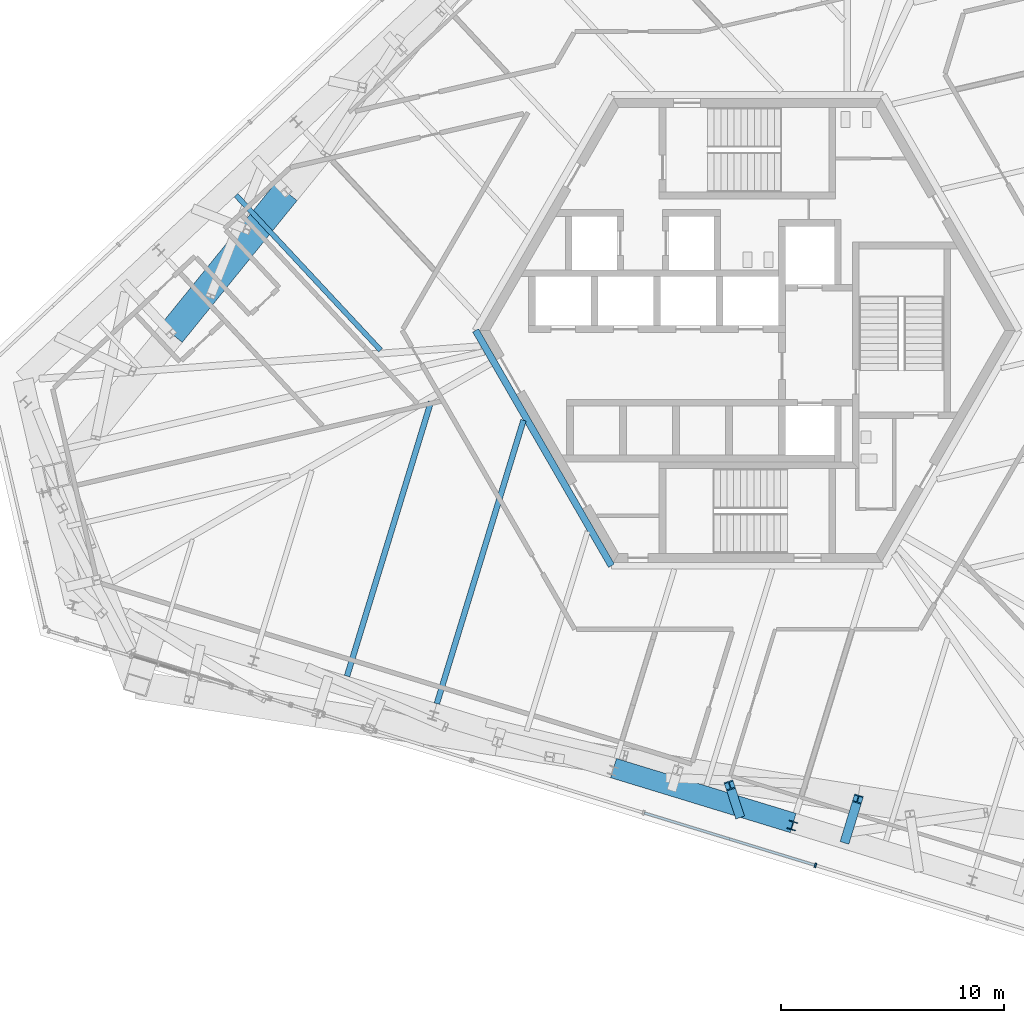
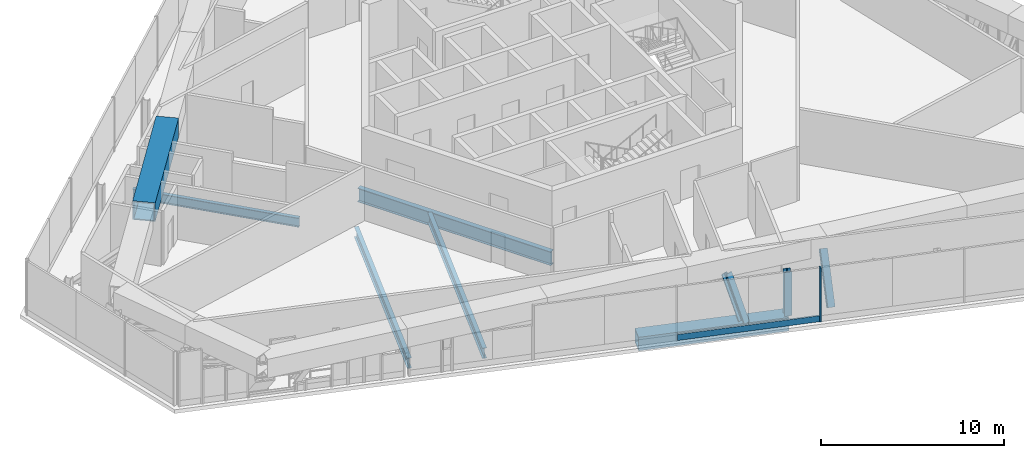
# One storey, part 3 of 31: 7 members, 4 beams, 1 element without a shape of its own.
"""IFC4 building model written with IfcOpenShell, lengths in metres."""

from ifc_helpers import new_model, si_unit, direction, frame, origin, origin_2d, place, context, subcontext, project, spatial, rectangle, hollow_rectangle, i_section, extrude, source, transform, mapped, material, material_profile, profile_set, type_object, element, aggregate, save


model = new_model("IFC4")

# Units and contexts
model_context = context("Model", 3, precision=1e-05, world=origin(), true_north=direction((0.0, 1.0)))
body_context = subcontext(model_context, "Body", "Model", "MODEL_VIEW")
ifc_project = project(units=[si_unit("LENGTHUNIT", "METRE"), si_unit("AREAUNIT", "SQUARE_METRE"), si_unit("VOLUMEUNIT", "CUBIC_METRE"), si_unit("PLANEANGLEUNIT", "RADIAN"), si_unit("MASSUNIT", "GRAM", prefix="KILO")], contexts=[model_context])

# Site, building, storey
site_placement = place(None, origin())
site = spatial("IfcSite", under=ifc_project, at=site_placement, CompositionType="ELEMENT")
building_placement = place(site_placement, origin())
building = spatial("IfcBuilding", under=site, at=building_placement, Name="Triune Harvest Tower", CompositionType="ELEMENT")
storey_placement = place(building_placement, frame((0.0, 0.0, 134.300048828125)))
storey = spatial("IfcBuildingStorey", under=building, at=storey_placement, Name="L34", CompositionType="ELEMENT", Elevation=134.300048828125)

# Member
ifc_material_1 = material(Name="Steel ASTM A992 Gr 50", Category="steel")
ifc_material_profile_1 = material_profile(ifc_material_1, i_section(OverallWidth=0.411376953125, OverallDepth=0.434326171875, WebThickness=0.035888671875, FlangeThickness=0.057373046875, at=origin_2d()), Name="W14x311")
ifc_profile_set_1 = profile_set([ifc_material_profile_1], Name="Steel ASTM A992 Gr 50")
member_type_1 = type_object("IfcMemberType", Name="TD-2 Belt truss diagonal W14x311", PredefinedType="BRACE", material=ifc_profile_set_1)
member_1_placement = place(storey_placement, frame((-0.381591796875, -21.639404296875, -0.324951171875), z_axis=(-0.134912100535, 0.415756148857, 0.899414003569), x_axis=(-0.951174287905, -0.308654295335, 0.0)))
element("IfcMember", 1, at=member_1_placement, inside=storey, type_object=member_type_1, Name="truss/L34/TD40", PredefinedType="BRACE", context=body_context, shape_type="SweptSolid", body=[
    extrude(i_section(OverallWidth=0.411376953125, OverallDepth=0.434326171875, WebThickness=0.035888671875, FlangeThickness=0.057373046875, at=origin_2d()), origin(), (0.0, 0.0, 1.0), 3.012939453125),
])

# Beams
ifc_material_2 = material(Name="Steel ASTM A992 Gr 50", Category="steel")
ifc_material_profile_2 = material_profile(ifc_material_2, i_section(OverallWidth=0.3046875, OverallDepth=0.914306640625, WebThickness=0.0166015625, FlangeThickness=0.02587890625, at=origin_2d()), Name="W36x160")
ifc_profile_set_2 = profile_set([ifc_material_profile_2], Name="Steel ASTM A992 Gr 50")
beam_type_1 = type_object("IfcBeamType", Name="CG-1 Core ring girder W36x160", PredefinedType="BEAM", material=ifc_profile_set_2)
shared_shape_1 = source(origin(), body_context, "Body", "SweptSolid", [
    extrude(i_section(OverallWidth=0.3046875, OverallDepth=0.914306640625, WebThickness=0.0166015625, FlangeThickness=0.02587890625, at=origin_2d()), origin(), (0.0, 0.0, 1.0), 12.176025390625),
])
beam_1_placement = place(storey_placement, frame((-12.176025390625, 0.0, -0.707275390625), z_axis=(0.5000099932, -0.866019634131, 0.0), x_axis=(0.866019634131, 0.5000099932, 0.0)))
element("IfcBeam", 2, at=beam_1_placement, inside=storey, type_object=beam_type_1, Name="beam/L34/CG4", PredefinedType="BEAM", context=body_context, shape_type="MappedRepresentation", body=[
    mapped(shared_shape_1, transform((0.0, 0.0, 0.0), scale=1.0)),
])
ifc_material_3 = material(Name="Steel ASTM A992 Gr 50", Category="steel")
ifc_material_profile_3 = material_profile(ifc_material_3, i_section(OverallWidth=0.253662109375, OverallDepth=0.683349609375, WebThickness=0.012451171875, FlangeThickness=0.01904296875, at=origin_2d()), Name="W27x94")
ifc_profile_set_3 = profile_set([ifc_material_profile_3], Name="Steel ASTM A992 Gr 50")
beam_type_2 = type_object("IfcBeamType", Name="JT-4 Floor joist W27x94", PredefinedType="JOIST", material=ifc_profile_set_3)
shared_shape_2 = source(origin(), body_context, "Body", "SweptSolid", [
    extrude(i_section(OverallWidth=0.253662109375, OverallDepth=0.683349609375, WebThickness=0.012451171875, FlangeThickness=0.01904296875, at=origin_2d()), origin(), (0.0, 0.0, 1.0), 12.85986328125),
])
beam_2_placement = place(storey_placement, frame((-17.933837890625, -15.489013671875, -0.591552734375), z_axis=(0.292367088392, 0.956306167305, 0.0), x_axis=(-0.956306167305, 0.292367088392, 0.0)))
element("IfcBeam", 3, at=beam_2_placement, inside=storey, type_object=beam_type_2, Name="beam/L34/JT29", PredefinedType="JOIST", context=body_context, shape_type="MappedRepresentation", body=[
    mapped(shared_shape_2, transform((0.0, 0.0, 0.0), scale=1.0)),
])
shared_shape_3 = source(origin(), body_context, "Body", "SweptSolid", [
    extrude(i_section(OverallWidth=0.253662109375, OverallDepth=0.683349609375, WebThickness=0.012451171875, FlangeThickness=0.01904296875, at=origin_2d()), origin(), (0.0, 0.0, 1.0), 13.275634765625),
])
beam_3_placement = place(storey_placement, frame((-13.910400390625, -16.718994140625, -0.591552734375), z_axis=(0.292366639658, 0.956306304494, 0.0), x_axis=(-0.956306304494, 0.292366639658, 0.0)))
element("IfcBeam", 4, at=beam_3_placement, inside=storey, type_object=beam_type_2, Name="beam/L34/JT30", PredefinedType="JOIST", context=body_context, shape_type="MappedRepresentation", body=[
    mapped(shared_shape_3, transform((0.0, 0.0, 0.0), scale=1.0)),
])
ifc_material_4 = material(Name="Steel ASTM A992 Gr 50", Category="steel")
ifc_material_profile_4 = material_profile(ifc_material_4, i_section(OverallWidth=0.22900390625, OverallDepth=0.612060546875, WebThickness=0.011962890625, FlangeThickness=0.01953125, at=origin_2d()), Name="W24x84")
ifc_profile_set_4 = profile_set([ifc_material_profile_4], Name="Steel ASTM A992 Gr 50")
beam_type_3 = type_object("IfcBeamType", Name="JT-3 Floor joist W24x84", PredefinedType="JOIST", material=ifc_profile_set_4)
shared_shape_4 = source(origin(), body_context, "Body", "SweptSolid", [
    extrude(i_section(OverallWidth=0.22900390625, OverallDepth=0.612060546875, WebThickness=0.011962890625, FlangeThickness=0.01953125, at=origin_2d()), origin(), (0.0, 0.0, 1.0), 9.49267578125),
])
beam_4_placement = place(storey_placement, frame((-22.90869140625, 6.059814453125, -0.55615234375), z_axis=(0.681985545782, -0.731365650919, 0.0), x_axis=(0.731365650919, 0.681985545782, 0.0)))
element("IfcBeam", 5, at=beam_4_placement, inside=storey, type_object=beam_type_3, Name="beam/L34/JT22", PredefinedType="JOIST", context=body_context, shape_type="MappedRepresentation", body=[
    mapped(shared_shape_4, transform((0.0, 0.0, 0.0), scale=1.0)),
])

# Members
ifc_material_5 = material(Name="Steel ASTM A992 Gr 50", Category="steel")
ifc_material_profile_5 = material_profile(ifc_material_5, i_section(OverallWidth=0.396240234375, OverallDepth=0.381103515625, WebThickness=0.01904296875, FlangeThickness=0.0302734375, at=origin_2d()), Name="W14x159")
ifc_profile_set_5 = profile_set([ifc_material_profile_5], Name="Steel ASTM A992 Gr 50")
member_type_2 = type_object("IfcMemberType", Name="WP-3 Roof edge post W14x159", PredefinedType="POST", material=ifc_profile_set_5)
shared_shape_5 = source(origin(), body_context, "Body", "SweptSolid", [
    extrude(i_section(OverallWidth=0.396240234375, OverallDepth=0.381103515625, WebThickness=0.01904296875, FlangeThickness=0.0302734375, at=origin_2d()), origin(), (0.0, 0.0, 1.0), 2.935546875),
])
member_2_placement = place(storey_placement, frame((2.016357421875, -22.1845703125, -0.25), z_axis=(0.0, 0.0, 1.0), x_axis=(0.956304755963, -0.292371704723, 0.0)))
element("IfcMember", 6, at=member_2_placement, inside=storey, type_object=member_type_2, Name="post/L34/W20", PredefinedType="POST", context=body_context, shape_type="MappedRepresentation", body=[
    mapped(shared_shape_5, transform((0.0, 0.0, 0.0), scale=1.0)),
])
ifc_material_6 = material(Name="Steel ASTM A572 Gr 50", Category="steel")
ifc_material_profile_6 = material_profile(ifc_material_6, hollow_rectangle(XDim=0.89990234375, YDim=0.89990234375, WallThickness=0.050048828125, at=origin_2d()), Name="Box 900x900x50")
ifc_profile_set_6 = profile_set([ifc_material_profile_6], Name="Steel ASTM A572 Gr 50")
member_type_3 = type_object("IfcMemberType", Name="TC-2 Belt truss chord Box 900x900x50", PredefinedType="CHORD", material=ifc_profile_set_6)
shared_shape_6 = source(origin(), body_context, "Body", "SweptSolid", [
    extrude(hollow_rectangle(XDim=0.89990234375, YDim=0.89990234375, WallThickness=0.050048828125, at=origin_2d()), origin(), (0.0, 0.0, 1.0), 8.41455078125),
])
member_3_placement = place(storey_placement, frame((-5.995361328125, -19.609619140625, -0.699951171875), z_axis=(0.956311920953, -0.292348268068, 0.0), x_axis=(0.292348268068, 0.956311920953, 0.0)))
element("IfcMember", 7, at=member_3_placement, inside=storey, type_object=member_type_3, Name="truss/L34/TCB20", PredefinedType="CHORD", context=body_context, shape_type="MappedRepresentation", body=[
    mapped(shared_shape_6, transform((0.0, 0.0, 0.0), scale=1.0)),
])
ifc_material_7 = material(Name="Steel ASTM A572 Gr 50", Category="steel")
ifc_material_profile_7 = material_profile(ifc_material_7, hollow_rectangle(XDim=1.25, YDim=1.25, WallThickness=0.070068359375, at=origin_2d()), Name="Box 1250x1250x70")
ifc_profile_set_7 = profile_set([ifc_material_profile_7], Name="Steel ASTM A572 Gr 50")
member_type_4 = type_object("IfcMemberType", Name="TC-1 Belt truss chord Box 1250x1250x70", PredefinedType="CHORD", material=ifc_profile_set_7)
shared_shape_7 = source(origin(), body_context, "Body", "SweptSolid", [
    extrude(hollow_rectangle(XDim=1.25, YDim=1.25, WallThickness=0.070068359375, at=origin_2d()), origin(), (0.0, 0.0, 1.0), 8.175048828125),
])
member_4_placement = place(storey_placement, frame((-20.657958984375, 6.209228515625, 2.974853515625), z_axis=(-0.629334818401, -0.777134278196, 0.0), x_axis=(0.777134278196, -0.629334818401, 0.0)))
element("IfcMember", 8, at=member_4_placement, inside=storey, type_object=member_type_4, Name="truss/L34/TCT13", PredefinedType="CHORD", context=body_context, shape_type="MappedRepresentation", body=[
    mapped(shared_shape_7, transform((0.0, 0.0, 0.0), scale=1.0)),
])
ifc_material_8 = material(Name="Steel ASTM A992 Gr 50", Category="steel")
ifc_material_profile_8 = material_profile(ifc_material_8, i_section(OverallWidth=0.411376953125, OverallDepth=0.434326171875, WebThickness=0.035888671875, FlangeThickness=0.057373046875, at=origin_2d()), Name="W14x311")
ifc_profile_set_8 = profile_set([ifc_material_profile_8], Name="Steel ASTM A992 Gr 50")
member_type_5 = type_object("IfcMemberType", Name="TV-1 Belt truss strut W14x311", PredefinedType="STRUT", material=ifc_profile_set_8)
shared_shape_8 = source(origin(), body_context, "Body", "SweptSolid", [
    extrude(i_section(OverallWidth=0.411376953125, OverallDepth=0.434326171875, WebThickness=0.035888671875, FlangeThickness=0.057373046875, at=origin_2d()), origin(), (0.0, 0.0, 1.0), 3.2548828125),
])
member_5_placement = place(storey_placement, frame((4.4033203125, -22.788818359375, -0.275146484375), z_axis=(0.168465179976, 0.551074655958, 0.817273642482), x_axis=(-0.956312155019, 0.292347502405, 0.0)))
element("IfcMember", 9, at=member_5_placement, inside=storey, type_object=member_type_5, Name="truss/L34/TS21", PredefinedType="STRUT", context=body_context, shape_type="MappedRepresentation", body=[
    mapped(shared_shape_8, transform((0.0, 0.0, 0.0), scale=1.0)),
])

# Curtain wall, members
ifc_material_9 = material(Name="Aluminium bronze anodised", Category="aluminium")
curtain_wall_type = type_object("IfcCurtainWallType", Name="CW-5 Plant louvre wall", PredefinedType="NOTDEFINED", material=ifc_material_9)
curtain_wall_placement = place(storey_placement, origin())
curtain_wall = element("IfcCurtainWall", 10, at=curtain_wall_placement, inside=storey, type_object=curtain_wall_type, Name="CW-5 B3-F5 L34 run 1401")
ifc_material_10 = material(Name="Aluminium bronze anodised", Category="aluminium")
ifc_material_profile_9 = material_profile(ifc_material_10, rectangle(XDim=0.199951171875, YDim=0.080078125, at=origin_2d()), Name="MU-5 mullion 80 x 200")
ifc_profile_set_9 = profile_set([ifc_material_profile_9], Name="Aluminium bronze anodised")
member_type_6 = type_object("IfcMemberType", Name="MU-5 mullion 80 x 200", PredefinedType="MULLION", material=ifc_profile_set_9)
shared_shape_9 = source(origin(), body_context, "Body", "SweptSolid", [
    extrude(rectangle(XDim=0.199951171875, YDim=0.080078125, at=origin_2d()), origin(), (0.0, 0.0, 1.0), 3.599853515625),
])
member_6_placement = place(storey_placement, frame((3.052001953125, -23.963623046875, 0.0), z_axis=(0.0, 0.0, 1.0), x_axis=(0.292373914166, 0.956304080466, 0.0)))
member_6 = element("IfcMember", 11, at=member_6_placement, type_object=member_type_6, Name="CW-5 mullion B3-F5 1401.5", PredefinedType="MULLION", context=body_context, shape_type="MappedRepresentation", body=[
    mapped(shared_shape_9, transform((0.0, 0.0, 0.0), scale=1.0)),
])
ifc_material_11 = material(Name="Aluminium bronze anodised", Category="aluminium")
ifc_material_profile_10 = material_profile(ifc_material_11, rectangle(XDim=0.10009765625, YDim=0.39990234375, at=origin_2d()), Name="TR-5 transom 100 x 400")
ifc_profile_set_10 = profile_set([ifc_material_profile_10], Name="Aluminium bronze anodised")
member_type_7 = type_object("IfcMemberType", Name="TR-5 transom 100 x 400", PredefinedType="USERDEFINED", material=ifc_profile_set_10)
shared_shape_10 = source(origin(), body_context, "Body", "SweptSolid", [
    extrude(rectangle(XDim=0.10009765625, YDim=0.39990234375, at=origin_2d()), origin(), (0.0, 0.0, 1.0), 7.97265625),
])
member_7_placement = place(storey_placement, frame((-4.610595703125, -21.620849609375, 0.199951171875), z_axis=(0.95630187443, -0.292381129625, 0.0), x_axis=(0.292381129625, 0.95630187443, 0.0)))
member_7 = element("IfcMember", 12, at=member_7_placement, type_object=member_type_7, Name="CW-5 transom B3-F5 1401.2", ObjectType="TRANSOM", PredefinedType="USERDEFINED", context=body_context, shape_type="MappedRepresentation", body=[
    mapped(shared_shape_10, transform((0.0, 0.0, 0.0), scale=1.0)),
])
aggregate(curtain_wall, [member_6, member_7])

save(model, "model.ifc")
